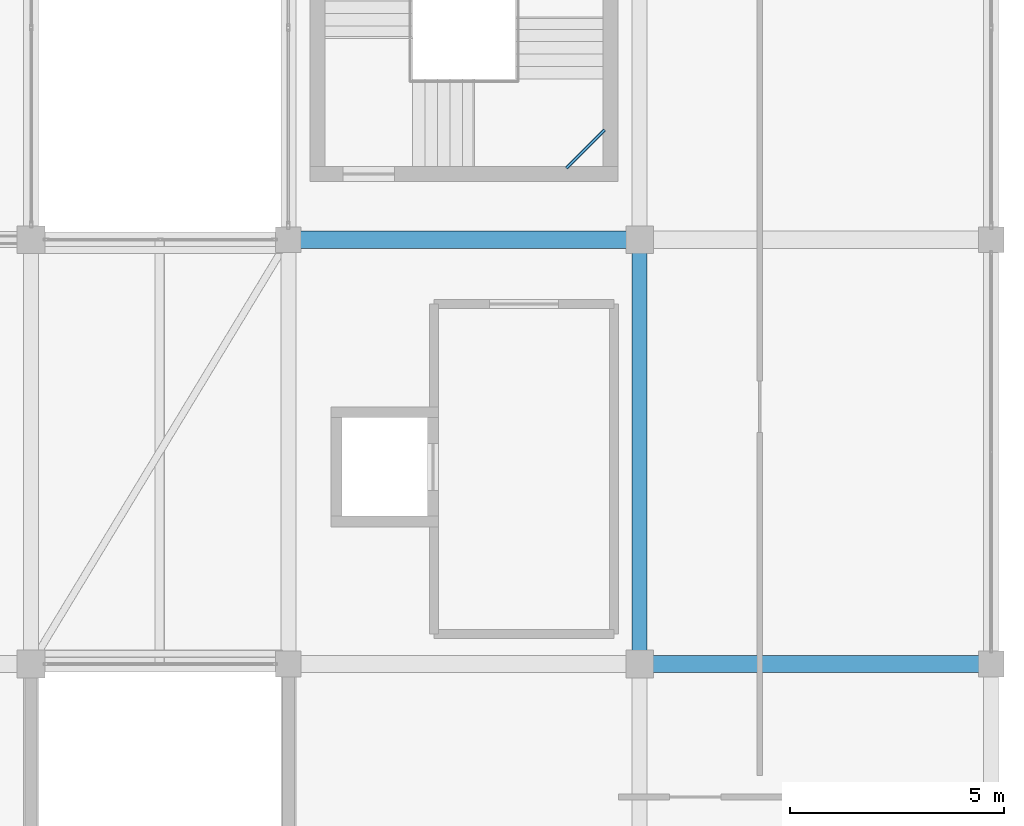
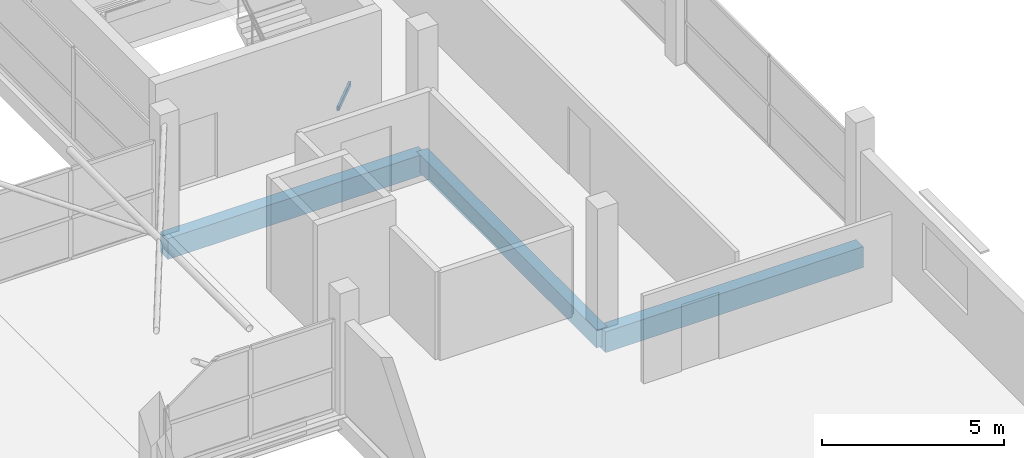
# One storey, part 20 of 70: 4 beams.
"""IFC4 building model written with IfcOpenShell, lengths in metres."""

from ifc_helpers import new_model, si_unit, direction, frame, origin, origin_2d, place, context, subcontext, project, spatial, rectangle, hollow_rectangle, extrude, material, material_profile, profile_set, type_object, element, save


model = new_model("IFC4")

# Units and contexts
model_context = context("Model", 3, precision=1e-05, world=origin(), true_north=direction((0.0, 1.0)))
body_context = subcontext(model_context, "Body", "Model", "MODEL_VIEW")
ifc_project = project(units=[si_unit("LENGTHUNIT", "METRE"), si_unit("AREAUNIT", "SQUARE_METRE"), si_unit("VOLUMEUNIT", "CUBIC_METRE"), si_unit("PLANEANGLEUNIT", "RADIAN"), si_unit("MASSUNIT", "GRAM", prefix="KILO")], contexts=[model_context])

# Site, building, storey
site_placement = place(None, origin())
site = spatial("IfcSite", under=ifc_project, at=site_placement, CompositionType="ELEMENT")
building_placement = place(site_placement, origin())
building = spatial("IfcBuilding", under=site, at=building_placement, Name="Sillaruma Civic Art Gallery", CompositionType="ELEMENT")
storey_placement = place(building_placement, frame((0.0, 0.0, 66.300048828125)))
storey = spatial("IfcBuildingStorey", under=building, at=storey_placement, Name="L13", CompositionType="ELEMENT", Elevation=66.300048828125)

# Beams
ifc_material_1 = material(Name="Concrete H35 (35 MPa)", Category="concrete")
ifc_material_profile_1 = material_profile(ifc_material_1, rectangle(XDim=0.35009765625, YDim=0.60009765625, at=origin_2d()), Name="RCB350x600")
ifc_profile_set_1 = profile_set([ifc_material_profile_1], Name="Concrete H35 (35 MPa)")
beam_type_1 = type_object("IfcBeamType", Name="BM-BEAM-RCB350x600", PredefinedType="BEAM", material=ifc_profile_set_1)
beam_1_placement = place(storey_placement, frame((106.199951171875, 39.60009765625, -0.530029296875), z_axis=(0.0, 1.0, 0.0), x_axis=(-1.0, 0.0, 0.0)))
element("IfcBeam", 1, at=beam_1_placement, inside=storey, type_object=beam_type_1, Name="Beam BM-06 (L12:M:5-6)", PredefinedType="BEAM", context=body_context, shape_type="SweptSolid", body=[
    extrude(rectangle(XDim=0.35009765625, YDim=0.60009765625, at=origin_2d()), origin(), (0.0, 0.0, 1.0), 9.89990234375),
])
ifc_material_profile_2 = material_profile(ifc_material_1, rectangle(XDim=0.39990234375, YDim=0.699951171875, at=origin_2d()), Name="RCB400x700")
ifc_profile_set_2 = profile_set([ifc_material_profile_2], Name="Concrete H35 (35 MPa)")
beam_type_2 = type_object("IfcBeamType", Name="BM-BEAM-RCB400x700", PredefinedType="BEAM", material=ifc_profile_set_2)
for number, where, z_axis, x_axis, name in (
    (2, (106.199951171875, 39.60009765625, -0.580078125), (1.0, 0.0, 0.0), (0.0, 1.0, 0.0), "Beam BM-04 (L12:5:M-N)"),
    (3, (98.0, 49.5, -0.580078125), (1.0, 0.0, 0.0), (0.0, 1.0, 0.0), "Beam BM-04 (L12:6:L-M)"),
):
    element("IfcBeam", number, at=place(storey_placement, frame(where, z_axis=z_axis, x_axis=x_axis)), inside=storey, type_object=beam_type_2, Name=name, PredefinedType="BEAM", context=body_context, shape_type="SweptSolid", body=[
        extrude(rectangle(XDim=0.39990234375, YDim=0.699951171875, at=origin_2d()), origin(), (0.0, 0.0, 1.0), 8.199951171875),
    ])
ifc_material_2 = material(Name="Structural Steel ASTM A500 Gr.C", Category="steel")
ifc_material_profile_3 = material_profile(ifc_material_2, hollow_rectangle(XDim=0.080078125, YDim=0.159912109375, WallThickness=0.008056640625, InnerFilletRadius=0.008056640625, OuterFilletRadius=0.01611328125, at=origin_2d()), Name="HSS160x80x8")
ifc_profile_set_3 = profile_set([ifc_material_profile_3], Name="Structural Steel ASTM A500 Gr.C")
beam_type_3 = type_object("IfcBeamType", Name="BM-LND-HSS160", PredefinedType="BEAM", material=ifc_profile_set_3)
beam_2_placement = place(storey_placement, frame((104.489990234375, 51.169921875, 0.739990234375), z_axis=(0.707009791025, 0.707203758046, 0.0), x_axis=(-0.707203758046, 0.707009791025, 0.0)))
element("IfcBeam", 4, at=beam_2_placement, inside=storey, type_object=beam_type_3, Name="Stair Corner Landing Trimmer Beam (ST-04-L13-1)", PredefinedType="BEAM", context=body_context, shape_type="SweptSolid", body=[
    extrude(hollow_rectangle(XDim=0.080078125, YDim=0.159912109375, WallThickness=0.008056640625, InnerFilletRadius=0.008056640625, OuterFilletRadius=0.01611328125, at=origin_2d()), origin(), (0.0, 0.0, 1.0), 1.2587890625),
])

save(model, "model.ifc")
